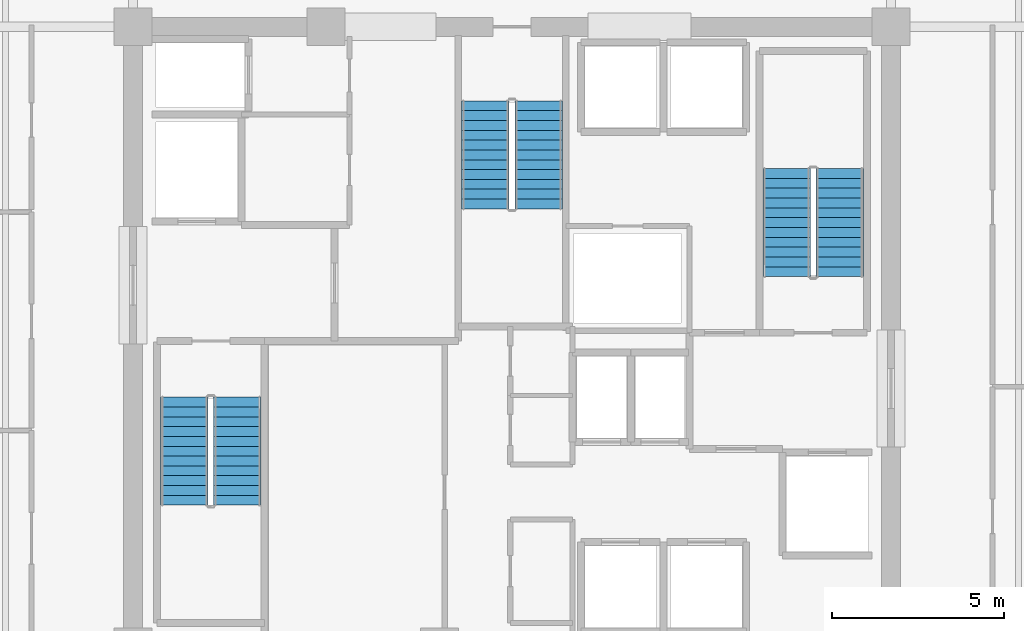
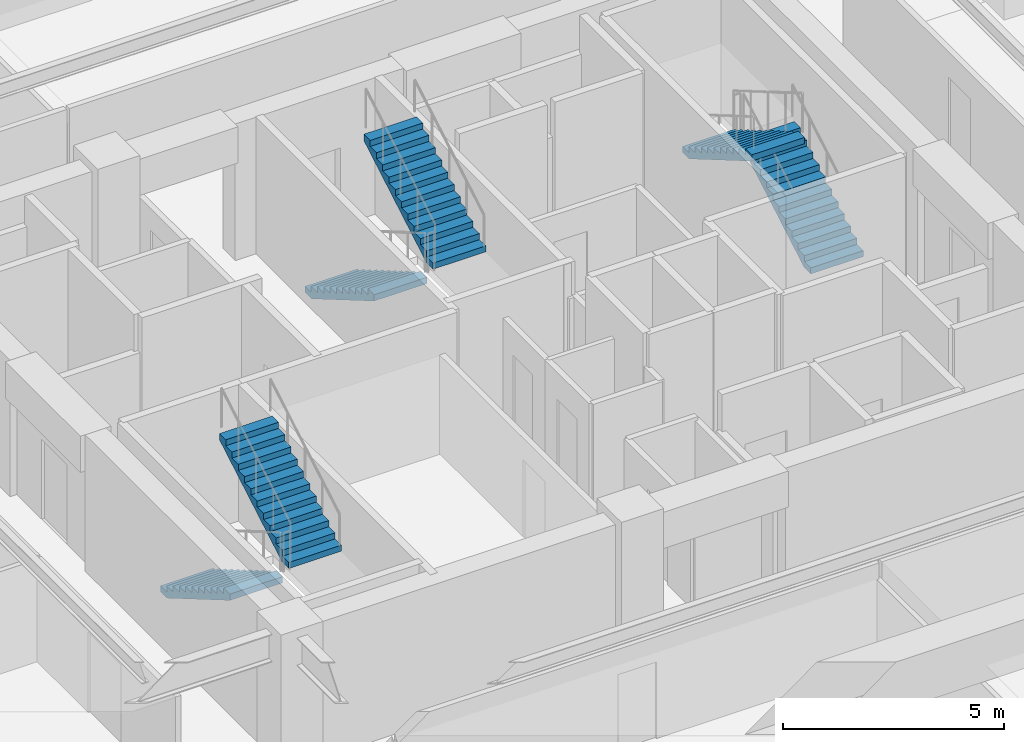
# One storey, part 16 of 20: 6 stair flights, 3 elements without a shape of their own.
"""IFC4 building model written with IfcOpenShell, lengths in metres."""

from ifc_helpers import new_model, si_unit, direction, frame, origin, place, context, subcontext, project, spatial, polyline, outline, extrude, material, type_object, element, aggregate, save


model = new_model("IFC4")

# Units and contexts
model_context = context("Model", 3, precision=1e-05, world=origin(), true_north=direction((0.0, 1.0)))
body_context = subcontext(model_context, "Body", "Model", "MODEL_VIEW")
ifc_project = project(units=[si_unit("LENGTHUNIT", "METRE"), si_unit("AREAUNIT", "SQUARE_METRE"), si_unit("VOLUMEUNIT", "CUBIC_METRE"), si_unit("PLANEANGLEUNIT", "RADIAN"), si_unit("MASSUNIT", "GRAM", prefix="KILO")], contexts=[model_context])

# Site, building, storey
site_placement = place(None, origin())
site = spatial("IfcSite", under=ifc_project, at=site_placement, CompositionType="ELEMENT")
building_placement = place(site_placement, origin())
building = spatial("IfcBuilding", under=site, at=building_placement, Name="Kovane Verandah Tower", CompositionType="ELEMENT")
storey_placement = place(building_placement, frame((0.0, 0.0, 164.39990234375)))
storey = spatial("IfcBuildingStorey", under=building, at=storey_placement, Name="L38", CompositionType="ELEMENT", Elevation=164.39990234375)

# Stair, stair flights
ifc_material = material(Name="Concrete C45/55", Category="concrete")
stair_type = type_object("IfcStairType", Name="ST-CORE-1380", PredefinedType="HALF_TURN_STAIR", material=ifc_material)
stair_1_placement = place(storey_placement, origin())
stair_1 = element("IfcStair", 1, at=stair_1_placement, inside=storey, type_object=stair_type, Name="L38 Exit Stair ST-01", PredefinedType="HALF_TURN_STAIR")
stair_flight_type = type_object("IfcStairFlightType", Name="STF-CORE-1380", PredefinedType="STRAIGHT", material=ifc_material)
stair_flight_1_placement = place(storey_placement, frame((30.489990234375, 25.75, 0.0), z_axis=(0.0, 0.0, 1.0), x_axis=(0.0, -1.0, 0.0)))
stair_flight_1 = element("IfcStairFlight", 2, at=stair_flight_1_placement, type_object=stair_flight_type, Name="ST-01 flight 1", NumberOfRisers=12, NumberOfTreads=11, PredefinedType="STRAIGHT", RiserHeight=0.166666667, TreadLength=0.285, context=body_context, shape_type="SweptSolid", body=[
    extrude(outline(polyline([(0.0, 0.0), (0.0, 0.166748046875), (0.284912109375, 0.166748046875), (0.284912109375, 0.333251953125), (0.570068359375, 0.333251953125), (0.570068359375, 0.5), (0.85498046875, 0.5), (0.85498046875, 0.666748046875), (1.139892578125, 0.666748046875), (1.139892578125, 0.833251953125), (1.425048828125, 0.833251953125), (1.425048828125, 1.0), (1.7099609375, 1.0), (1.7099609375, 1.166748046875), (1.9951171875, 1.166748046875), (1.9951171875, 1.333251953125), (2.280029296875, 1.333251953125), (2.280029296875, 1.5), (2.56494140625, 1.5), (2.56494140625, 1.666748046875), (2.85009765625, 1.666748046875), (2.85009765625, 1.833251953125), (3.135009765625, 1.833251953125), (3.135009765625, 2.0), (3.135009765625, 1.65966796875), (0.296875, 0.0), (0.0, 0.0)])), frame((0.0, 0.68994140625, 0.0), z_axis=(0.0, -1.0, 0.0), x_axis=(1.0, 0.0, 0.0)), (0.0, 0.0, 1.0), 1.3798828125),
])
stair_flight_2_placement = place(storey_placement, frame((32.030029296875, 22.614990234375, 2.0), z_axis=(0.0, 0.0, 1.0), x_axis=(0.0, 1.0, 0.0)))
stair_flight_2 = element("IfcStairFlight", 3, at=stair_flight_2_placement, type_object=stair_flight_type, Name="ST-01 flight 2", NumberOfRisers=12, NumberOfTreads=11, PredefinedType="STRAIGHT", RiserHeight=0.166666667, TreadLength=0.285, context=body_context, shape_type="SweptSolid", body=[
    extrude(outline(polyline([(0.0, 0.0), (0.0, 0.166748046875), (0.284912109375, 0.166748046875), (0.284912109375, 0.333251953125), (0.570068359375, 0.333251953125), (0.570068359375, 0.5), (0.85498046875, 0.5), (0.85498046875, 0.666748046875), (1.139892578125, 0.666748046875), (1.139892578125, 0.833251953125), (1.425048828125, 0.833251953125), (1.425048828125, 1.0), (1.7099609375, 1.0), (1.7099609375, 1.166748046875), (1.9951171875, 1.166748046875), (1.9951171875, 1.333251953125), (2.280029296875, 1.333251953125), (2.280029296875, 1.5), (2.56494140625, 1.5), (2.56494140625, 1.666748046875), (2.85009765625, 1.666748046875), (2.85009765625, 1.833251953125), (3.135009765625, 1.833251953125), (3.135009765625, 2.0), (3.135009765625, 1.65966796875), (0.296875, 0.0), (0.0, 0.0)])), frame((0.0, 0.68994140625, 0.0), z_axis=(0.0, -1.0, 0.0), x_axis=(1.0, 0.0, 0.0)), (0.0, 0.0, 1.0), 1.3798828125),
])
aggregate(stair_1, [stair_flight_1, stair_flight_2])

stair_2_placement = place(storey_placement, origin())
stair_2 = element("IfcStair", 4, at=stair_2_placement, inside=storey, type_object=stair_type, Name="L38 Exit Stair ST-02", PredefinedType="HALF_TURN_STAIR")
stair_flight_3_placement = place(storey_placement, frame((49.510009765625, 29.25, 0.0), z_axis=(0.0, 0.0, 1.0), x_axis=(0.0, 1.0, 0.0)))
stair_flight_3 = element("IfcStairFlight", 5, at=stair_flight_3_placement, type_object=stair_flight_type, Name="ST-02 flight 1", NumberOfRisers=12, NumberOfTreads=11, PredefinedType="STRAIGHT", RiserHeight=0.166666667, TreadLength=0.285, context=body_context, shape_type="SweptSolid", body=[
    extrude(outline(polyline([(0.0, 0.0), (0.0, 0.166748046875), (0.284912109375, 0.166748046875), (0.284912109375, 0.333251953125), (0.570068359375, 0.333251953125), (0.570068359375, 0.5), (0.85498046875, 0.5), (0.85498046875, 0.666748046875), (1.139892578125, 0.666748046875), (1.139892578125, 0.833251953125), (1.425048828125, 0.833251953125), (1.425048828125, 1.0), (1.7099609375, 1.0), (1.7099609375, 1.166748046875), (1.9951171875, 1.166748046875), (1.9951171875, 1.333251953125), (2.280029296875, 1.333251953125), (2.280029296875, 1.5), (2.56494140625, 1.5), (2.56494140625, 1.666748046875), (2.85009765625, 1.666748046875), (2.85009765625, 1.833251953125), (3.135009765625, 1.833251953125), (3.135009765625, 2.0), (3.135009765625, 1.65966796875), (0.296875, 0.0), (0.0, 0.0)])), frame((0.0, 0.68994140625, 0.0), z_axis=(0.0, -1.0, 0.0), x_axis=(1.0, 0.0, 0.0)), (0.0, 0.0, 1.0), 1.3798828125),
])
stair_flight_4_placement = place(storey_placement, frame((47.969970703125, 32.385009765625, 2.0), z_axis=(0.0, 0.0, 1.0), x_axis=(0.0, -1.0, 0.0)))
stair_flight_4 = element("IfcStairFlight", 6, at=stair_flight_4_placement, type_object=stair_flight_type, Name="ST-02 flight 2", NumberOfRisers=12, NumberOfTreads=11, PredefinedType="STRAIGHT", RiserHeight=0.166666667, TreadLength=0.285, context=body_context, shape_type="SweptSolid", body=[
    extrude(outline(polyline([(0.0, 0.0), (0.0, 0.166748046875), (0.284912109375, 0.166748046875), (0.284912109375, 0.333251953125), (0.570068359375, 0.333251953125), (0.570068359375, 0.5), (0.85498046875, 0.5), (0.85498046875, 0.666748046875), (1.139892578125, 0.666748046875), (1.139892578125, 0.833251953125), (1.425048828125, 0.833251953125), (1.425048828125, 1.0), (1.7099609375, 1.0), (1.7099609375, 1.166748046875), (1.9951171875, 1.166748046875), (1.9951171875, 1.333251953125), (2.280029296875, 1.333251953125), (2.280029296875, 1.5), (2.56494140625, 1.5), (2.56494140625, 1.666748046875), (2.85009765625, 1.666748046875), (2.85009765625, 1.833251953125), (3.135009765625, 1.833251953125), (3.135009765625, 2.0), (3.135009765625, 1.65966796875), (0.296875, 0.0), (0.0, 0.0)])), frame((0.0, 0.68994140625, 0.0), z_axis=(0.0, -1.0, 0.0), x_axis=(1.0, 0.0, 0.0)), (0.0, 0.0, 1.0), 1.3798828125),
])
aggregate(stair_2, [stair_flight_3, stair_flight_4])

stair_3_placement = place(storey_placement, origin())
stair_3 = element("IfcStair", 7, at=stair_3_placement, inside=storey, type_object=stair_type, Name="L38 Exit Stair ST-03", PredefinedType="HALF_TURN_STAIR")
stair_flight_5_placement = place(storey_placement, frame((39.22998046875, 34.35009765625, 0.0), z_axis=(0.0, 0.0, 1.0), x_axis=(0.0, -1.0, 0.0)))
stair_flight_5 = element("IfcStairFlight", 8, at=stair_flight_5_placement, type_object=stair_flight_type, Name="ST-03 flight 1", NumberOfRisers=12, NumberOfTreads=11, PredefinedType="STRAIGHT", RiserHeight=0.166666667, TreadLength=0.285, context=body_context, shape_type="SweptSolid", body=[
    extrude(outline(polyline([(0.0, 0.0), (0.0, 0.166748046875), (0.284912109375, 0.166748046875), (0.284912109375, 0.333251953125), (0.570068359375, 0.333251953125), (0.570068359375, 0.5), (0.85498046875, 0.5), (0.85498046875, 0.666748046875), (1.139892578125, 0.666748046875), (1.139892578125, 0.833251953125), (1.425048828125, 0.833251953125), (1.425048828125, 1.0), (1.7099609375, 1.0), (1.7099609375, 1.166748046875), (1.9951171875, 1.166748046875), (1.9951171875, 1.333251953125), (2.280029296875, 1.333251953125), (2.280029296875, 1.5), (2.56494140625, 1.5), (2.56494140625, 1.666748046875), (2.85009765625, 1.666748046875), (2.85009765625, 1.833251953125), (3.135009765625, 1.833251953125), (3.135009765625, 2.0), (3.135009765625, 1.65966796875), (0.296875, 0.0), (0.0, 0.0)])), frame((0.0, 0.68994140625, 0.0), z_axis=(0.0, -1.0, 0.0), x_axis=(1.0, 0.0, 0.0)), (0.0, 0.0, 1.0), 1.3798828125),
])
stair_flight_6_placement = place(storey_placement, frame((40.77001953125, 31.215087890625, 2.0), z_axis=(0.0, 0.0, 1.0), x_axis=(0.0, 1.0, 0.0)))
stair_flight_6 = element("IfcStairFlight", 9, at=stair_flight_6_placement, type_object=stair_flight_type, Name="ST-03 flight 2", NumberOfRisers=12, NumberOfTreads=11, PredefinedType="STRAIGHT", RiserHeight=0.166666667, TreadLength=0.285, context=body_context, shape_type="SweptSolid", body=[
    extrude(outline(polyline([(0.0, 0.0), (0.0, 0.166748046875), (0.284912109375, 0.166748046875), (0.284912109375, 0.333251953125), (0.570068359375, 0.333251953125), (0.570068359375, 0.5), (0.85498046875, 0.5), (0.85498046875, 0.666748046875), (1.139892578125, 0.666748046875), (1.139892578125, 0.833251953125), (1.425048828125, 0.833251953125), (1.425048828125, 1.0), (1.7099609375, 1.0), (1.7099609375, 1.166748046875), (1.9951171875, 1.166748046875), (1.9951171875, 1.333251953125), (2.280029296875, 1.333251953125), (2.280029296875, 1.5), (2.56494140625, 1.5), (2.56494140625, 1.666748046875), (2.85009765625, 1.666748046875), (2.85009765625, 1.833251953125), (3.135009765625, 1.833251953125), (3.135009765625, 2.0), (3.135009765625, 1.65966796875), (0.296875, 0.0), (0.0, 0.0)])), frame((0.0, 0.68994140625, 0.0), z_axis=(0.0, -1.0, 0.0), x_axis=(1.0, 0.0, 0.0)), (0.0, 0.0, 1.0), 1.3798828125),
])
aggregate(stair_3, [stair_flight_5, stair_flight_6])

save(model, "model.ifc")
